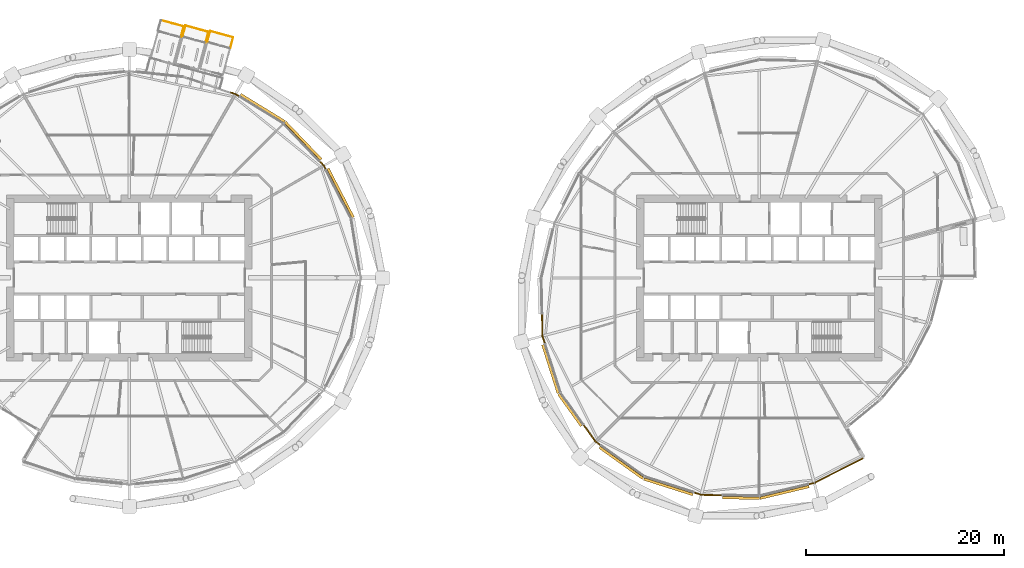
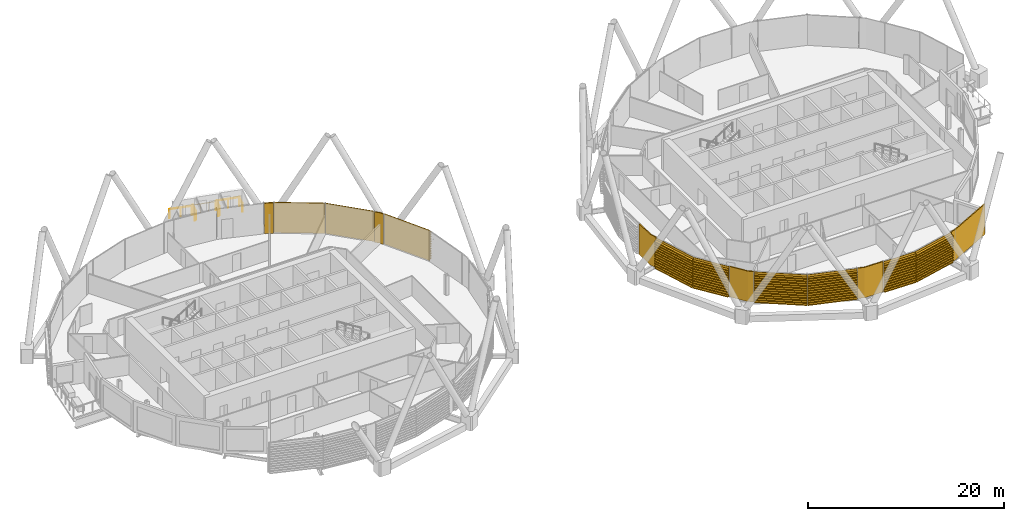
# One storey, part 35 of 38: 15 coverings, 8 railings.
"""IFC4 building model written with IfcOpenShell, lengths in metres."""

from ifc_helpers import new_model, si_unit, direction, frame, origin, origin_2d, place, context, subcontext, project, spatial, polyline, circle, outline, extrude, material, layer, layer_set, material_profile, profile_set, type_object, element, save


model = new_model("IFC4")

# Units and contexts
model_context = context("Model", 3, precision=1e-05, world=origin(), true_north=direction((0.0, 1.0)))
body_context = subcontext(model_context, "Body", "Model", "MODEL_VIEW")
ifc_project = project(units=[si_unit("LENGTHUNIT", "METRE"), si_unit("AREAUNIT", "SQUARE_METRE"), si_unit("VOLUMEUNIT", "CUBIC_METRE"), si_unit("PLANEANGLEUNIT", "RADIAN"), si_unit("MASSUNIT", "GRAM", prefix="KILO")], contexts=[model_context])

# Site, building, storey
site_placement = place(None, origin())
site = spatial("IfcSite", under=ifc_project, at=site_placement, CompositionType="ELEMENT")
building_placement = place(site_placement, origin())
building = spatial("IfcBuilding", under=site, at=building_placement, Name="Rimbun Link Towers", CompositionType="ELEMENT")
storey_placement = place(building_placement, frame((0.0, 0.0, 104.39990234375)))
storey = spatial("IfcBuildingStorey", under=building, at=storey_placement, Name="L25", CompositionType="ELEMENT", Elevation=104.39990234375)

# Railings
ifc_material_1 = material(Name="Stainless steel grade 316", Category="steel")
railing_type = type_object("IfcRailingType", Name="GUARD stainless rail and posts", PredefinedType="GUARDRAIL", material=ifc_material_1)
railing_1_placement = place(storey_placement, frame((-26.556640625, 24.285400390625, 0.0)))
element("IfcRailing", 1, at=railing_1_placement, inside=storey, type_object=railing_type, Name="GUARD D251.01 balcony", PredefinedType="GUARDRAIL", context=body_context, shape_type="SweptSolid", body=[
    extrude(circle(Radius=0.02392578125, at=origin_2d()), frame((0.0, 0.0, 1.076171875), z_axis=(0.261859097624, 0.965106114887, 0.0), x_axis=(-0.965106114887, 0.261859097624, 0.0)), (0.0, 0.0, 1.0), 1.10009765625),
    extrude(circle(Radius=0.02099609375, at=origin_2d()), origin(), (0.0, 0.0, 1.0), 1.052001953125),
    extrude(circle(Radius=0.02099609375, at=origin_2d()), frame((0.2880859375, 1.061767578125, 0.0)), (0.0, 0.0, 1.0), 1.052001953125),
])
railing_2_placement = place(storey_placement, frame((-26.2685546875, 25.34716796875, 0.0)))
element("IfcRailing", 2, at=railing_2_placement, inside=storey, type_object=railing_type, Name="GUARD D251.01 balcony", PredefinedType="GUARDRAIL", context=body_context, shape_type="SweptSolid", body=[
    extrude(circle(Radius=0.02392578125, at=origin_2d()), frame((0.0, 0.0, 1.076171875), z_axis=(-0.965108089312, 0.261851820585, 0.0), x_axis=(-0.261851820585, -0.965108089312, 0.0)), (0.0, 0.0, 1.0), 2.39990234375),
    extrude(circle(Radius=0.02099609375, at=origin_2d()), origin(), (0.0, 0.0, 1.0), 1.052001953125),
    extrude(circle(Radius=0.02099609375, at=origin_2d()), frame((-1.158203125, 0.314208984375, 0.0)), (0.0, 0.0, 1.0), 1.052001953125),
    extrude(circle(Radius=0.02099609375, at=origin_2d()), frame((-2.316162109375, 0.62841796875, 0.0)), (0.0, 0.0, 1.0), 1.052001953125),
])
railing_3_placement = place(storey_placement, frame((-24.06689453125, 23.734130859375, 0.0)))
element("IfcRailing", 3, at=railing_3_placement, inside=storey, type_object=railing_type, Name="GUARD D251.02 balcony", PredefinedType="GUARDRAIL", context=body_context, shape_type="SweptSolid", body=[
    extrude(circle(Radius=0.02392578125, at=origin_2d()), frame((0.0, 0.0, 1.076171875), z_axis=(0.261915191828, 0.965090893279, 0.0), x_axis=(-0.965090893279, 0.261915191828, 0.0)), (0.0, 0.0, 1.0), 1.099853515625),
    extrude(circle(Radius=0.02099609375, at=origin_2d()), origin(), (0.0, 0.0, 1.0), 1.052001953125),
    extrude(circle(Radius=0.02099609375, at=origin_2d()), frame((0.2880859375, 1.0615234375, 0.0)), (0.0, 0.0, 1.0), 1.052001953125),
])
railing_4_placement = place(storey_placement, frame((-23.77880859375, 24.795654296875, 0.0)))
element("IfcRailing", 4, at=railing_4_placement, inside=storey, type_object=railing_type, Name="GUARD D251.02 balcony", PredefinedType="GUARDRAIL", context=body_context, shape_type="SweptSolid", body=[
    extrude(circle(Radius=0.02392578125, at=origin_2d()), frame((0.0, 0.0, 1.076171875), z_axis=(-0.965115063511, 0.261826114405, 0.0), x_axis=(-0.261826114405, -0.965115063511, 0.0)), (0.0, 0.0, 1.0), 2.400146484375),
    extrude(circle(Radius=0.02099609375, at=origin_2d()), origin(), (0.0, 0.0, 1.0), 1.052001953125),
    extrude(circle(Radius=0.02099609375, at=origin_2d()), frame((-0.772216796875, 0.20947265625, 0.0)), (0.0, 0.0, 1.0), 1.052001953125),
    extrude(circle(Radius=0.02099609375, at=origin_2d()), frame((-1.544189453125, 0.4189453125, 0.0)), (0.0, 0.0, 1.0), 1.052001953125),
    extrude(circle(Radius=0.02099609375, at=origin_2d()), frame((-2.31640625, 0.62841796875, 0.0)), (0.0, 0.0, 1.0), 1.052001953125),
])
railing_5_placement = place(storey_placement, frame((-26.09521484375, 25.424072265625, 0.0)))
element("IfcRailing", 5, at=railing_5_placement, inside=storey, type_object=railing_type, Name="GUARD D251.02 balcony", PredefinedType="GUARDRAIL", context=body_context, shape_type="SweptSolid", body=[
    extrude(circle(Radius=0.02392578125, at=origin_2d()), frame((0.0, 0.0, 1.076171875), z_axis=(-0.261708438276, -0.965146980172, 0.0), x_axis=(0.965146980172, -0.261708438276, 0.0)), (0.0, 0.0, 1.0), 1.099853515625),
    extrude(circle(Radius=0.02099609375, at=origin_2d()), origin(), (0.0, 0.0, 1.0), 1.052001953125),
    extrude(circle(Radius=0.02099609375, at=origin_2d()), frame((-0.287841796875, -1.0615234375, 0.0)), (0.0, 0.0, 1.0), 1.052001953125),
])
railing_6_placement = place(storey_placement, frame((-21.5771484375, 23.1826171875, 0.0)))
element("IfcRailing", 6, at=railing_6_placement, inside=storey, type_object=railing_type, Name="GUARD D251.03 balcony", PredefinedType="GUARDRAIL", context=body_context, shape_type="SweptSolid", body=[
    extrude(circle(Radius=0.02392578125, at=origin_2d()), frame((0.0, 0.0, 1.076171875), z_axis=(0.261708438276, 0.965146980172, 0.0), x_axis=(-0.965146980172, 0.261708438276, 0.0)), (0.0, 0.0, 1.0), 1.099853515625),
    extrude(circle(Radius=0.02099609375, at=origin_2d()), origin(), (0.0, 0.0, 1.0), 1.052001953125),
    extrude(circle(Radius=0.02099609375, at=origin_2d()), frame((0.287841796875, 1.0615234375, 0.0)), (0.0, 0.0, 1.0), 1.052001953125),
])
railing_7_placement = place(storey_placement, frame((-21.289306640625, 24.244140625, 0.0)))
element("IfcRailing", 7, at=railing_7_placement, inside=storey, type_object=railing_type, Name="GUARD D251.03 balcony", PredefinedType="GUARDRAIL", context=body_context, shape_type="SweptSolid", body=[
    extrude(circle(Radius=0.02392578125, at=origin_2d()), frame((0.0, 0.0, 1.076171875), z_axis=(-0.965082376735, 0.261946571107, 0.0), x_axis=(-0.261946571107, -0.965082376735, 0.0)), (0.0, 0.0, 1.0), 2.39990234375),
    extrude(circle(Radius=0.02099609375, at=origin_2d()), origin(), (0.0, 0.0, 1.0), 1.052001953125),
    extrude(circle(Radius=0.02099609375, at=origin_2d()), frame((-1.158203125, 0.314453125, 0.0)), (0.0, 0.0, 1.0), 1.052001953125),
    extrude(circle(Radius=0.02099609375, at=origin_2d()), frame((-2.316162109375, 0.628662109375, 0.0)), (0.0, 0.0, 1.0), 1.052001953125),
])
railing_8_placement = place(storey_placement, frame((-23.60546875, 24.872802734375, 0.0)))
element("IfcRailing", 8, at=railing_8_placement, inside=storey, type_object=railing_type, Name="GUARD D251.03 balcony", PredefinedType="GUARDRAIL", context=body_context, shape_type="SweptSolid", body=[
    extrude(circle(Radius=0.02392578125, at=origin_2d()), frame((0.0, 0.0, 1.076171875), z_axis=(-0.261859097624, -0.965106114887, 0.0), x_axis=(0.965106114887, -0.261859097624, 0.0)), (0.0, 0.0, 1.0), 1.10009765625),
    extrude(circle(Radius=0.02099609375, at=origin_2d()), origin(), (0.0, 0.0, 1.0), 1.052001953125),
    extrude(circle(Radius=0.02099609375, at=origin_2d()), frame((-0.2880859375, -1.061767578125, 0.0)), (0.0, 0.0, 1.0), 1.052001953125),
])

# Coverings
ifc_material_2 = material(Name="Terracotta", Category="masonry")
ifc_layer = layer(ifc_material_2, 0.1201171875)
ifc_layer_set = layer_set([ifc_layer], Name="LINK PIER terracotta cladding 120")
covering_type_1 = type_object("IfcCoveringType", Name="LINK PIER terracotta cladding 120", PredefinedType="CLADDING", material=ifc_layer_set)
covering_1_placement = place(storey_placement, origin())
element("IfcCovering", 9, at=covering_1_placement, inside=storey, type_object=covering_type_1, Name="LINK PIER cladding", PredefinedType="CLADDING", context=body_context, shape_type="SweptSolid", body=[
    extrude(outline(polyline([(-12.59326171875, 11.699462890625), (-12.19873046875, 11.287841796875), (-12.005859375, 10.914794921875), (-11.899169921875, 10.969970703125), (-12.10009765625, 11.3583984375), (-12.506591796875, 11.782470703125), (-12.59326171875, 11.699462890625)])), origin(), (0.0, 0.0, 1.0), 3.800048828125),
])
covering_2_placement = place(storey_placement, origin())
element("IfcCovering", 10, at=covering_2_placement, inside=storey, type_object=covering_type_1, Name="LINK PIER cladding", PredefinedType="CLADDING", context=body_context, shape_type="SweptSolid", body=[
    extrude(outline(polyline([(-21.623046875, 18.65673828125), (-21.08203125, 18.4775390625), (-20.72412109375, 18.2578125), (-20.661376953125, 18.360107421875), (-21.031005859375, 18.5869140625), (-21.585205078125, 18.770751953125), (-21.623046875, 18.65673828125)])), origin(), (0.0, 0.0, 1.0), 3.800048828125),
])
covering_3_placement = place(storey_placement, origin())
element("IfcCovering", 11, at=covering_3_placement, inside=storey, type_object=covering_type_1, Name="LINK PIER cladding", PredefinedType="CLADDING", context=body_context, shape_type="SweptSolid", body=[
    extrude(outline(polyline([(10.19189453125, -6.62451171875), (9.943603515625, -5.843017578125), (9.897705078125, -3.673583984375), (9.77783203125, -3.676025390625), (9.823974609375, -5.86279296875), (10.07763671875, -6.660888671875), (10.19189453125, -6.62451171875)])), origin(), (0.0, 0.0, 1.0), 3.800048828125),
])
covering_4_placement = place(storey_placement, origin())
element("IfcCovering", 12, at=covering_4_placement, inside=storey, type_object=covering_type_1, Name="LINK PIER cladding", PredefinedType="CLADDING", context=body_context, shape_type="SweptSolid", body=[
    extrude(outline(polyline([(15.79052734375, -16.82470703125), (15.28662109375, -16.46337890625), (14.079833984375, -14.781494140625), (13.982421875, -14.8515625), (15.20068359375, -16.54931640625), (15.720458984375, -16.92236328125), (15.79052734375, -16.82470703125)])), origin(), (0.0, 0.0, 1.0), 3.800048828125),
])
covering_5_placement = place(storey_placement, origin())
element("IfcCovering", 13, at=covering_5_placement, inside=storey, type_object=covering_type_1, Name="LINK PIER cladding", PredefinedType="CLADDING", context=body_context, shape_type="SweptSolid", body=[
    extrude(outline(polyline([(28.026611328125, -21.85107421875), (25.906982421875, -21.806396484375), (25.173095703125, -21.5732421875), (25.136962890625, -21.6875), (25.88720703125, -21.926025390625), (28.02392578125, -21.97119140625), (28.026611328125, -21.85107421875)])), origin(), (0.0, 0.0, 1.0), 3.800048828125),
])
covering_6_placement = place(storey_placement, origin())
element("IfcCovering", 14, at=covering_6_placement, inside=storey, type_object=covering_type_1, Name="LINK PIER cladding", PredefinedType="CLADDING", context=body_context, shape_type="SweptSolid", body=[
    extrude(outline(polyline([(42.1884765625, -18.139892578125), (37.272216796875, -20.60888671875), (36.7177734375, -20.741455078125), (36.745849609375, -20.8583984375), (37.313720703125, -20.722412109375), (42.242431640625, -18.247314453125), (42.1884765625, -18.139892578125)])), origin(), (0.0, 0.0, 1.0), 3.800048828125),
])
ifc_material_3 = material(Name="Terracotta", Category="masonry")
ifc_material_profile = material_profile(ifc_material_3, outline(polyline([(0.123046875, 0.0), (0.1630859375, 0.0), (0.1630859375, 0.10009765625), (0.423095703125, 0.10009765625), (0.423095703125, 0.219970703125), (0.1630859375, 0.219970703125), (0.1630859375, 0.39990234375), (0.423095703125, 0.39990234375), (0.423095703125, 0.52001953125), (0.1630859375, 0.52001953125), (0.1630859375, 0.699951171875), (0.423095703125, 0.699951171875), (0.423095703125, 0.820068359375), (0.1630859375, 0.820068359375), (0.1630859375, 1.0), (0.423095703125, 1.0), (0.423095703125, 1.1201171875), (0.1630859375, 1.1201171875), (0.1630859375, 1.300048828125), (0.423095703125, 1.300048828125), (0.423095703125, 1.419921875), (0.1630859375, 1.419921875), (0.1630859375, 1.60009765625), (0.423095703125, 1.60009765625), (0.423095703125, 1.719970703125), (0.1630859375, 1.719970703125), (0.1630859375, 1.89990234375), (0.423095703125, 1.89990234375), (0.423095703125, 2.02001953125), (0.1630859375, 2.02001953125), (0.1630859375, 2.199951171875), (0.423095703125, 2.199951171875), (0.423095703125, 2.320068359375), (0.1630859375, 2.320068359375), (0.1630859375, 2.5), (0.423095703125, 2.5), (0.423095703125, 2.6201171875), (0.1630859375, 2.6201171875), (0.1630859375, 2.800048828125), (0.423095703125, 2.800048828125), (0.423095703125, 2.919921875), (0.1630859375, 2.919921875), (0.1630859375, 3.10009765625), (0.423095703125, 3.10009765625), (0.423095703125, 3.219970703125), (0.1630859375, 3.219970703125), (0.1630859375, 3.39990234375), (0.423095703125, 3.39990234375), (0.423095703125, 3.52001953125), (0.1630859375, 3.52001953125), (0.1630859375, 3.800048828125), (0.123046875, 3.800048828125), (0.123046875, 0.0)])), Name="BAGUETTE 120X300")
ifc_profile_set = profile_set([ifc_material_profile], Name="Terracotta")
covering_type_2 = type_object("IfcCoveringType", Name="TERRACOTTA BAGUETTE 120X300 H3800", PredefinedType="CLADDING", material=ifc_profile_set)
covering_7_placement = place(storey_placement, frame((-11.991943359375, 10.88818359375, 0.0), z_axis=(0.459546586995, -0.888153665973, 0.0), x_axis=(0.888153665973, 0.459546586995, 0.0)))
element("IfcCovering", 15, at=covering_7_placement, inside=storey, type_object=covering_type_2, Name="TERRACOTTA BAGUETTE", PredefinedType="CLADDING", context=body_context, shape_type="SweptSolid", body=[
    extrude(outline(polyline([(0.123046875, 0.0), (0.1630859375, 0.0), (0.1630859375, 0.10009765625), (0.423095703125, 0.10009765625), (0.423095703125, 0.219970703125), (0.1630859375, 0.219970703125), (0.1630859375, 0.39990234375), (0.423095703125, 0.39990234375), (0.423095703125, 0.52001953125), (0.1630859375, 0.52001953125), (0.1630859375, 0.699951171875), (0.423095703125, 0.699951171875), (0.423095703125, 0.820068359375), (0.1630859375, 0.820068359375), (0.1630859375, 1.0), (0.423095703125, 1.0), (0.423095703125, 1.1201171875), (0.1630859375, 1.1201171875), (0.1630859375, 1.300048828125), (0.423095703125, 1.300048828125), (0.423095703125, 1.419921875), (0.1630859375, 1.419921875), (0.1630859375, 1.60009765625), (0.423095703125, 1.60009765625), (0.423095703125, 1.719970703125), (0.1630859375, 1.719970703125), (0.1630859375, 1.89990234375), (0.423095703125, 1.89990234375), (0.423095703125, 2.02001953125), (0.1630859375, 2.02001953125), (0.1630859375, 2.199951171875), (0.423095703125, 2.199951171875), (0.423095703125, 2.320068359375), (0.1630859375, 2.320068359375), (0.1630859375, 2.5), (0.423095703125, 2.5), (0.423095703125, 2.6201171875), (0.1630859375, 2.6201171875), (0.1630859375, 2.800048828125), (0.423095703125, 2.800048828125), (0.423095703125, 2.919921875), (0.1630859375, 2.919921875), (0.1630859375, 3.10009765625), (0.423095703125, 3.10009765625), (0.423095703125, 3.219970703125), (0.1630859375, 3.219970703125), (0.1630859375, 3.39990234375), (0.423095703125, 3.39990234375), (0.423095703125, 3.52001953125), (0.1630859375, 3.52001953125), (0.1630859375, 3.800048828125), (0.123046875, 3.800048828125), (0.123046875, 0.0)])), origin(), (0.0, 0.0, 1.0), 5.531494140625),
])
covering_8_placement = place(storey_placement, frame((-16.243408203125, 15.506591796875, 0.0), z_axis=(0.692052969394, -0.721846720262, 0.0), x_axis=(0.721846720262, 0.692052969394, 0.0)))
element("IfcCovering", 16, at=covering_8_placement, inside=storey, type_object=covering_type_2, Name="TERRACOTTA BAGUETTE", PredefinedType="CLADDING", context=body_context, shape_type="SweptSolid", body=[
    extrude(outline(polyline([(0.123046875, 0.0), (0.1630859375, 0.0), (0.1630859375, 0.10009765625), (0.423095703125, 0.10009765625), (0.423095703125, 0.219970703125), (0.1630859375, 0.219970703125), (0.1630859375, 0.39990234375), (0.423095703125, 0.39990234375), (0.423095703125, 0.52001953125), (0.1630859375, 0.52001953125), (0.1630859375, 0.699951171875), (0.423095703125, 0.699951171875), (0.423095703125, 0.820068359375), (0.1630859375, 0.820068359375), (0.1630859375, 1.0), (0.423095703125, 1.0), (0.423095703125, 1.1201171875), (0.1630859375, 1.1201171875), (0.1630859375, 1.300048828125), (0.423095703125, 1.300048828125), (0.423095703125, 1.419921875), (0.1630859375, 1.419921875), (0.1630859375, 1.60009765625), (0.423095703125, 1.60009765625), (0.423095703125, 1.719970703125), (0.1630859375, 1.719970703125), (0.1630859375, 1.89990234375), (0.423095703125, 1.89990234375), (0.423095703125, 2.02001953125), (0.1630859375, 2.02001953125), (0.1630859375, 2.199951171875), (0.423095703125, 2.199951171875), (0.423095703125, 2.320068359375), (0.1630859375, 2.320068359375), (0.1630859375, 2.5), (0.423095703125, 2.5), (0.423095703125, 2.6201171875), (0.1630859375, 2.6201171875), (0.1630859375, 2.800048828125), (0.423095703125, 2.800048828125), (0.423095703125, 2.919921875), (0.1630859375, 2.919921875), (0.1630859375, 3.10009765625), (0.423095703125, 3.10009765625), (0.423095703125, 3.219970703125), (0.1630859375, 3.219970703125), (0.1630859375, 3.39990234375), (0.423095703125, 3.39990234375), (0.423095703125, 3.52001953125), (0.1630859375, 3.52001953125), (0.1630859375, 3.800048828125), (0.123046875, 3.800048828125), (0.123046875, 0.0)])), origin(), (0.0, 0.0, 1.0), 5.244384765625),
])
covering_9_placement = place(storey_placement, frame((-20.698486328125, 18.241943359375, 0.0), z_axis=(0.852190222668, -0.523232094189, 0.0), x_axis=(0.523232094189, 0.852190222668, 0.0)))
element("IfcCovering", 17, at=covering_9_placement, inside=storey, type_object=covering_type_2, Name="TERRACOTTA BAGUETTE", PredefinedType="CLADDING", context=body_context, shape_type="SweptSolid", body=[
    extrude(outline(polyline([(0.123046875, 0.0), (0.1630859375, 0.0), (0.1630859375, 0.10009765625), (0.423095703125, 0.10009765625), (0.423095703125, 0.219970703125), (0.1630859375, 0.219970703125), (0.1630859375, 0.39990234375), (0.423095703125, 0.39990234375), (0.423095703125, 0.52001953125), (0.1630859375, 0.52001953125), (0.1630859375, 0.699951171875), (0.423095703125, 0.699951171875), (0.423095703125, 0.820068359375), (0.1630859375, 0.820068359375), (0.1630859375, 1.0), (0.423095703125, 1.0), (0.423095703125, 1.1201171875), (0.1630859375, 1.1201171875), (0.1630859375, 1.300048828125), (0.423095703125, 1.300048828125), (0.423095703125, 1.419921875), (0.1630859375, 1.419921875), (0.1630859375, 1.60009765625), (0.423095703125, 1.60009765625), (0.423095703125, 1.719970703125), (0.1630859375, 1.719970703125), (0.1630859375, 1.89990234375), (0.423095703125, 1.89990234375), (0.423095703125, 2.02001953125), (0.1630859375, 2.02001953125), (0.1630859375, 2.199951171875), (0.423095703125, 2.199951171875), (0.423095703125, 2.320068359375), (0.1630859375, 2.320068359375), (0.1630859375, 2.5), (0.423095703125, 2.5), (0.423095703125, 2.6201171875), (0.1630859375, 2.6201171875), (0.1630859375, 2.800048828125), (0.423095703125, 2.800048828125), (0.423095703125, 2.919921875), (0.1630859375, 2.919921875), (0.1630859375, 3.10009765625), (0.423095703125, 3.10009765625), (0.423095703125, 3.219970703125), (0.1630859375, 3.219970703125), (0.1630859375, 3.39990234375), (0.423095703125, 3.39990234375), (0.423095703125, 3.52001953125), (0.1630859375, 3.52001953125), (0.1630859375, 3.800048828125), (0.123046875, 3.800048828125), (0.123046875, 0.0)])), origin(), (0.0, 0.0, 1.0), 5.227783203125),
])
covering_10_placement = place(storey_placement, frame((11.75634765625, -11.54345703125, 0.0), z_axis=(-0.303052449014, 0.952973878523, 0.0), x_axis=(-0.952973878523, -0.303052449014, 0.0)))
element("IfcCovering", 18, at=covering_10_placement, inside=storey, type_object=covering_type_2, Name="TERRACOTTA BAGUETTE", PredefinedType="CLADDING", context=body_context, shape_type="SweptSolid", body=[
    extrude(outline(polyline([(0.123046875, 0.0), (0.1630859375, 0.0), (0.1630859375, 0.10009765625), (0.423095703125, 0.10009765625), (0.423095703125, 0.219970703125), (0.1630859375, 0.219970703125), (0.1630859375, 0.39990234375), (0.423095703125, 0.39990234375), (0.423095703125, 0.52001953125), (0.1630859375, 0.52001953125), (0.1630859375, 0.699951171875), (0.423095703125, 0.699951171875), (0.423095703125, 0.820068359375), (0.1630859375, 0.820068359375), (0.1630859375, 1.0), (0.423095703125, 1.0), (0.423095703125, 1.1201171875), (0.1630859375, 1.1201171875), (0.1630859375, 1.300048828125), (0.423095703125, 1.300048828125), (0.423095703125, 1.419921875), (0.1630859375, 1.419921875), (0.1630859375, 1.60009765625), (0.423095703125, 1.60009765625), (0.423095703125, 1.719970703125), (0.1630859375, 1.719970703125), (0.1630859375, 1.89990234375), (0.423095703125, 1.89990234375), (0.423095703125, 2.02001953125), (0.1630859375, 2.02001953125), (0.1630859375, 2.199951171875), (0.423095703125, 2.199951171875), (0.423095703125, 2.320068359375), (0.1630859375, 2.320068359375), (0.1630859375, 2.5), (0.423095703125, 2.5), (0.423095703125, 2.6201171875), (0.1630859375, 2.6201171875), (0.1630859375, 2.800048828125), (0.423095703125, 2.800048828125), (0.423095703125, 2.919921875), (0.1630859375, 2.919921875), (0.1630859375, 3.10009765625), (0.423095703125, 3.10009765625), (0.423095703125, 3.219970703125), (0.1630859375, 3.219970703125), (0.1630859375, 3.39990234375), (0.423095703125, 3.39990234375), (0.423095703125, 3.52001953125), (0.1630859375, 3.52001953125), (0.1630859375, 3.800048828125), (0.123046875, 3.800048828125), (0.123046875, 0.0)])), origin(), (0.0, 0.0, 1.0), 5.131591796875),
])
covering_11_placement = place(storey_placement, frame((14.0625, -14.757080078125, 0.0), z_axis=(-0.583029233752, 0.812451175512, 0.0), x_axis=(-0.812451175512, -0.583029233752, 0.0)))
element("IfcCovering", 19, at=covering_11_placement, inside=storey, type_object=covering_type_2, Name="TERRACOTTA BAGUETTE", PredefinedType="CLADDING", context=body_context, shape_type="SweptSolid", body=[
    extrude(outline(polyline([(0.123046875, 0.0), (0.1630859375, 0.0), (0.1630859375, 0.10009765625), (0.423095703125, 0.10009765625), (0.423095703125, 0.219970703125), (0.1630859375, 0.219970703125), (0.1630859375, 0.39990234375), (0.423095703125, 0.39990234375), (0.423095703125, 0.52001953125), (0.1630859375, 0.52001953125), (0.1630859375, 0.699951171875), (0.423095703125, 0.699951171875), (0.423095703125, 0.820068359375), (0.1630859375, 0.820068359375), (0.1630859375, 1.0), (0.423095703125, 1.0), (0.423095703125, 1.1201171875), (0.1630859375, 1.1201171875), (0.1630859375, 1.300048828125), (0.423095703125, 1.300048828125), (0.423095703125, 1.419921875), (0.1630859375, 1.419921875), (0.1630859375, 1.60009765625), (0.423095703125, 1.60009765625), (0.423095703125, 1.719970703125), (0.1630859375, 1.719970703125), (0.1630859375, 1.89990234375), (0.423095703125, 1.89990234375), (0.423095703125, 2.02001953125), (0.1630859375, 2.02001953125), (0.1630859375, 2.199951171875), (0.423095703125, 2.199951171875), (0.423095703125, 2.320068359375), (0.1630859375, 2.320068359375), (0.1630859375, 2.5), (0.423095703125, 2.5), (0.423095703125, 2.6201171875), (0.1630859375, 2.6201171875), (0.1630859375, 2.800048828125), (0.423095703125, 2.800048828125), (0.423095703125, 2.919921875), (0.1630859375, 2.919921875), (0.1630859375, 3.10009765625), (0.423095703125, 3.10009765625), (0.423095703125, 3.219970703125), (0.1630859375, 3.219970703125), (0.1630859375, 3.39990234375), (0.423095703125, 3.39990234375), (0.423095703125, 3.52001953125), (0.1630859375, 3.52001953125), (0.1630859375, 3.800048828125), (0.123046875, 3.800048828125), (0.123046875, 0.0)])), origin(), (0.0, 0.0, 1.0), 3.95556640625),
])
covering_12_placement = place(storey_placement, frame((20.20654296875, -19.99365234375, 0.0), z_axis=(-0.812477325977, 0.582992791356, 0.0), x_axis=(-0.582992791356, -0.812477325977, 0.0)))
element("IfcCovering", 20, at=covering_12_placement, inside=storey, type_object=covering_type_2, Name="TERRACOTTA BAGUETTE", PredefinedType="CLADDING", context=body_context, shape_type="SweptSolid", body=[
    extrude(outline(polyline([(0.123046875, 0.0), (0.1630859375, 0.0), (0.1630859375, 0.10009765625), (0.423095703125, 0.10009765625), (0.423095703125, 0.219970703125), (0.1630859375, 0.219970703125), (0.1630859375, 0.39990234375), (0.423095703125, 0.39990234375), (0.423095703125, 0.52001953125), (0.1630859375, 0.52001953125), (0.1630859375, 0.699951171875), (0.423095703125, 0.699951171875), (0.423095703125, 0.820068359375), (0.1630859375, 0.820068359375), (0.1630859375, 1.0), (0.423095703125, 1.0), (0.423095703125, 1.1201171875), (0.1630859375, 1.1201171875), (0.1630859375, 1.300048828125), (0.423095703125, 1.300048828125), (0.423095703125, 1.419921875), (0.1630859375, 1.419921875), (0.1630859375, 1.60009765625), (0.423095703125, 1.60009765625), (0.423095703125, 1.719970703125), (0.1630859375, 1.719970703125), (0.1630859375, 1.89990234375), (0.423095703125, 1.89990234375), (0.423095703125, 2.02001953125), (0.1630859375, 2.02001953125), (0.1630859375, 2.199951171875), (0.423095703125, 2.199951171875), (0.423095703125, 2.320068359375), (0.1630859375, 2.320068359375), (0.1630859375, 2.5), (0.423095703125, 2.5), (0.423095703125, 2.6201171875), (0.1630859375, 2.6201171875), (0.1630859375, 2.800048828125), (0.423095703125, 2.800048828125), (0.423095703125, 2.919921875), (0.1630859375, 2.919921875), (0.1630859375, 3.10009765625), (0.423095703125, 3.10009765625), (0.423095703125, 3.219970703125), (0.1630859375, 3.219970703125), (0.1630859375, 3.39990234375), (0.423095703125, 3.39990234375), (0.423095703125, 3.52001953125), (0.1630859375, 3.52001953125), (0.1630859375, 3.800048828125), (0.123046875, 3.800048828125), (0.123046875, 0.0)])), origin(), (0.0, 0.0, 1.0), 5.405517578125),
])
covering_13_placement = place(storey_placement, frame((25.14453125, -21.56396484375, 0.0), z_axis=(-0.952974033405, 0.303051961973, 0.0), x_axis=(-0.303051961973, -0.952974033405, 0.0)))
element("IfcCovering", 21, at=covering_13_placement, inside=storey, type_object=covering_type_2, Name="TERRACOTTA BAGUETTE", PredefinedType="CLADDING", context=body_context, shape_type="SweptSolid", body=[
    extrude(outline(polyline([(0.123046875, 0.0), (0.1630859375, 0.0), (0.1630859375, 0.10009765625), (0.423095703125, 0.10009765625), (0.423095703125, 0.219970703125), (0.1630859375, 0.219970703125), (0.1630859375, 0.39990234375), (0.423095703125, 0.39990234375), (0.423095703125, 0.52001953125), (0.1630859375, 0.52001953125), (0.1630859375, 0.699951171875), (0.423095703125, 0.699951171875), (0.423095703125, 0.820068359375), (0.1630859375, 0.820068359375), (0.1630859375, 1.0), (0.423095703125, 1.0), (0.423095703125, 1.1201171875), (0.1630859375, 1.1201171875), (0.1630859375, 1.300048828125), (0.423095703125, 1.300048828125), (0.423095703125, 1.419921875), (0.1630859375, 1.419921875), (0.1630859375, 1.60009765625), (0.423095703125, 1.60009765625), (0.423095703125, 1.719970703125), (0.1630859375, 1.719970703125), (0.1630859375, 1.89990234375), (0.423095703125, 1.89990234375), (0.423095703125, 2.02001953125), (0.1630859375, 2.02001953125), (0.1630859375, 2.199951171875), (0.423095703125, 2.199951171875), (0.423095703125, 2.320068359375), (0.1630859375, 2.320068359375), (0.1630859375, 2.5), (0.423095703125, 2.5), (0.423095703125, 2.6201171875), (0.1630859375, 2.6201171875), (0.1630859375, 2.800048828125), (0.423095703125, 2.800048828125), (0.423095703125, 2.919921875), (0.1630859375, 2.919921875), (0.1630859375, 3.10009765625), (0.423095703125, 3.10009765625), (0.423095703125, 3.219970703125), (0.1630859375, 3.219970703125), (0.1630859375, 3.39990234375), (0.423095703125, 3.39990234375), (0.423095703125, 3.52001953125), (0.1630859375, 3.52001953125), (0.1630859375, 3.800048828125), (0.123046875, 3.800048828125), (0.123046875, 0.0)])), origin(), (0.0, 0.0, 1.0), 5.181640625),
])
covering_14_placement = place(storey_placement, frame((31.75, -21.9296875, 0.0), z_axis=(-0.999777749096, 0.021082040056, 0.0), x_axis=(-0.021082040056, -0.999777749096, 0.0)))
element("IfcCovering", 22, at=covering_14_placement, inside=storey, type_object=covering_type_2, Name="TERRACOTTA BAGUETTE", PredefinedType="CLADDING", context=body_context, shape_type="SweptSolid", body=[
    extrude(outline(polyline([(0.123046875, 0.0), (0.1630859375, 0.0), (0.1630859375, 0.10009765625), (0.423095703125, 0.10009765625), (0.423095703125, 0.219970703125), (0.1630859375, 0.219970703125), (0.1630859375, 0.39990234375), (0.423095703125, 0.39990234375), (0.423095703125, 0.52001953125), (0.1630859375, 0.52001953125), (0.1630859375, 0.699951171875), (0.423095703125, 0.699951171875), (0.423095703125, 0.820068359375), (0.1630859375, 0.820068359375), (0.1630859375, 1.0), (0.423095703125, 1.0), (0.423095703125, 1.1201171875), (0.1630859375, 1.1201171875), (0.1630859375, 1.300048828125), (0.423095703125, 1.300048828125), (0.423095703125, 1.419921875), (0.1630859375, 1.419921875), (0.1630859375, 1.60009765625), (0.423095703125, 1.60009765625), (0.423095703125, 1.719970703125), (0.1630859375, 1.719970703125), (0.1630859375, 1.89990234375), (0.423095703125, 1.89990234375), (0.423095703125, 2.02001953125), (0.1630859375, 2.02001953125), (0.1630859375, 2.199951171875), (0.423095703125, 2.199951171875), (0.423095703125, 2.320068359375), (0.1630859375, 2.320068359375), (0.1630859375, 2.5), (0.423095703125, 2.5), (0.423095703125, 2.6201171875), (0.1630859375, 2.6201171875), (0.1630859375, 2.800048828125), (0.423095703125, 2.800048828125), (0.423095703125, 2.919921875), (0.1630859375, 2.919921875), (0.1630859375, 3.10009765625), (0.423095703125, 3.10009765625), (0.423095703125, 3.219970703125), (0.1630859375, 3.219970703125), (0.1630859375, 3.39990234375), (0.423095703125, 3.39990234375), (0.423095703125, 3.52001953125), (0.1630859375, 3.52001953125), (0.1630859375, 3.800048828125), (0.123046875, 3.800048828125), (0.123046875, 0.0)])), origin(), (0.0, 0.0, 1.0), 3.694091796875),
])
covering_15_placement = place(storey_placement, frame((36.688720703125, -20.74853515625, 0.0), z_axis=(-0.972572035212, -0.232601883749, 0.0), x_axis=(0.232601883749, -0.972572035212, 0.0)))
element("IfcCovering", 23, at=covering_15_placement, inside=storey, type_object=covering_type_2, Name="TERRACOTTA BAGUETTE", PredefinedType="CLADDING", context=body_context, shape_type="SweptSolid", body=[
    extrude(outline(polyline([(0.123046875, 0.0), (0.1630859375, 0.0), (0.1630859375, 0.10009765625), (0.423095703125, 0.10009765625), (0.423095703125, 0.219970703125), (0.1630859375, 0.219970703125), (0.1630859375, 0.39990234375), (0.423095703125, 0.39990234375), (0.423095703125, 0.52001953125), (0.1630859375, 0.52001953125), (0.1630859375, 0.699951171875), (0.423095703125, 0.699951171875), (0.423095703125, 0.820068359375), (0.1630859375, 0.820068359375), (0.1630859375, 1.0), (0.423095703125, 1.0), (0.423095703125, 1.1201171875), (0.1630859375, 1.1201171875), (0.1630859375, 1.300048828125), (0.423095703125, 1.300048828125), (0.423095703125, 1.419921875), (0.1630859375, 1.419921875), (0.1630859375, 1.60009765625), (0.423095703125, 1.60009765625), (0.423095703125, 1.719970703125), (0.1630859375, 1.719970703125), (0.1630859375, 1.89990234375), (0.423095703125, 1.89990234375), (0.423095703125, 2.02001953125), (0.1630859375, 2.02001953125), (0.1630859375, 2.199951171875), (0.423095703125, 2.199951171875), (0.423095703125, 2.320068359375), (0.1630859375, 2.320068359375), (0.1630859375, 2.5), (0.423095703125, 2.5), (0.423095703125, 2.6201171875), (0.1630859375, 2.6201171875), (0.1630859375, 2.800048828125), (0.423095703125, 2.800048828125), (0.423095703125, 2.919921875), (0.1630859375, 2.919921875), (0.1630859375, 3.10009765625), (0.423095703125, 3.10009765625), (0.423095703125, 3.219970703125), (0.1630859375, 3.219970703125), (0.1630859375, 3.39990234375), (0.423095703125, 3.39990234375), (0.423095703125, 3.52001953125), (0.1630859375, 3.52001953125), (0.1630859375, 3.800048828125), (0.123046875, 3.800048828125), (0.123046875, 0.0)])), origin(), (0.0, 0.0, 1.0), 5.077880859375),
])

save(model, "model.ifc")
